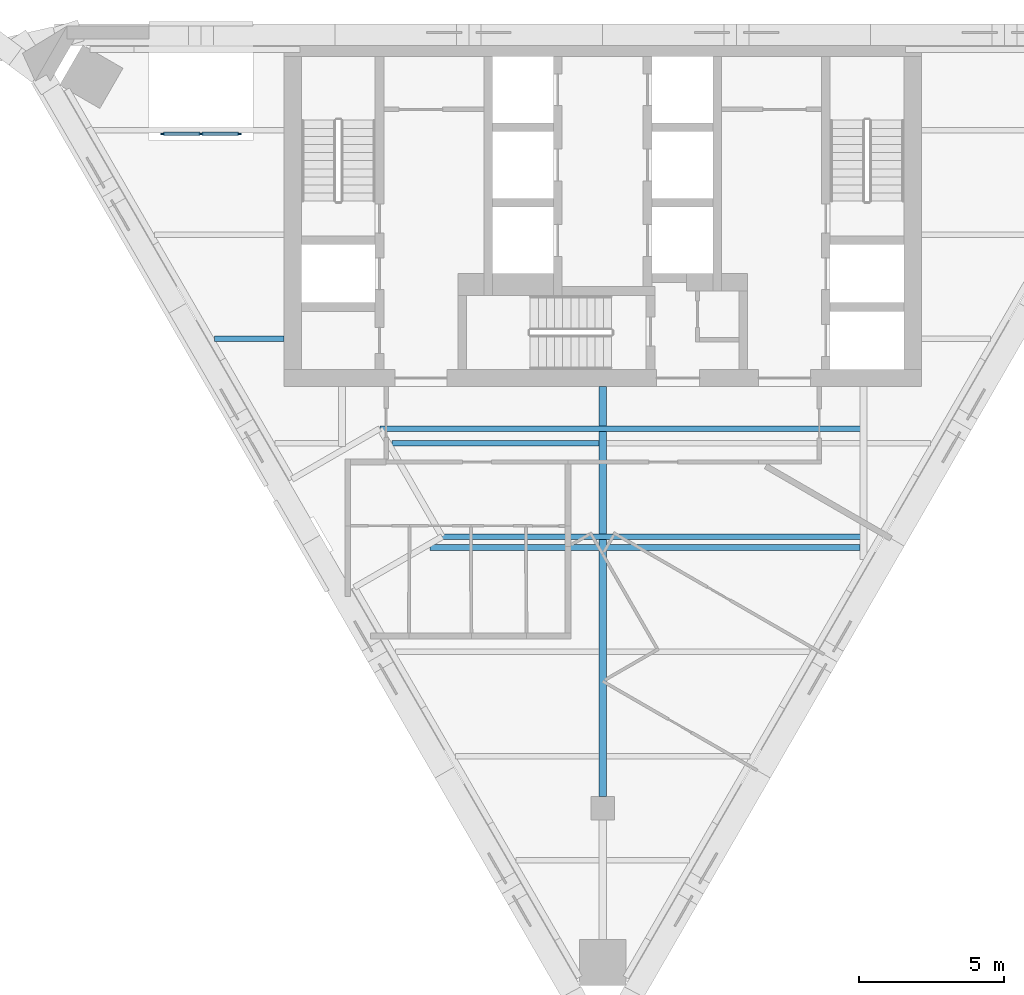
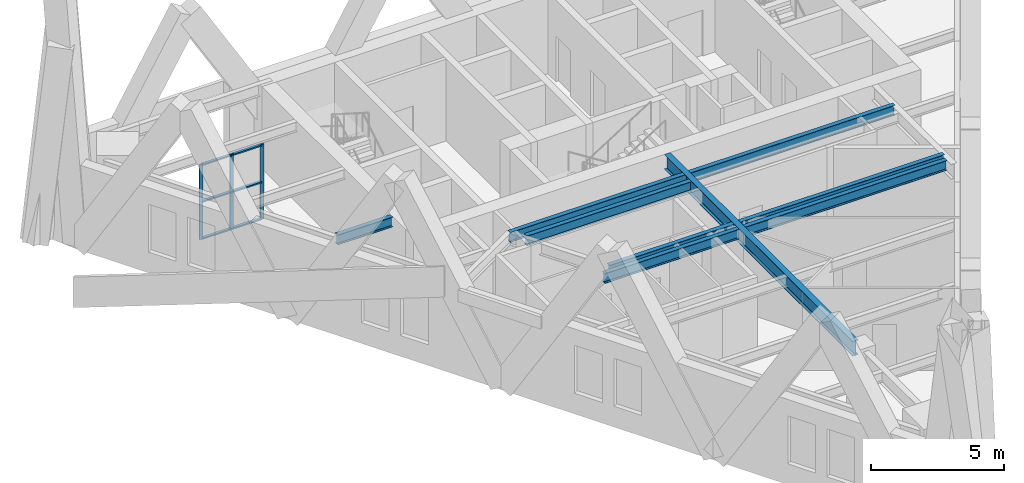
# One storey, part 2 of 9: 9 members, 7 beams, 1 element without a shape of its own.
"""IFC4 building model written with IfcOpenShell, lengths in metres."""

from ifc_helpers import new_model, si_unit, direction, frame, origin, origin_2d, place, context, subcontext, project, spatial, rectangle, i_section, extrude, material, material_profile, profile_set, type_object, element, aggregate, save


model = new_model("IFC4")

# Units and contexts
model_context = context("Model", 3, precision=1e-05, world=origin(), true_north=direction((0.0, 1.0)))
body_context = subcontext(model_context, "Body", "Model", "MODEL_VIEW")
ifc_project = project(units=[si_unit("LENGTHUNIT", "METRE"), si_unit("AREAUNIT", "SQUARE_METRE"), si_unit("VOLUMEUNIT", "CUBIC_METRE"), si_unit("PLANEANGLEUNIT", "RADIAN"), si_unit("MASSUNIT", "GRAM", prefix="KILO")], contexts=[model_context])

# Site, building, storey
site_placement = place(None, origin())
site = spatial("IfcSite", under=ifc_project, at=site_placement, CompositionType="ELEMENT")
building_placement = place(site_placement, origin())
building = spatial("IfcBuilding", under=site, at=building_placement, Name="Aloe Facet Convention Tower", CompositionType="ELEMENT")
storey_placement = place(building_placement, frame((0.0, 0.0, 254.300048828125)))
storey = spatial("IfcBuildingStorey", under=building, at=storey_placement, Name="L62", CompositionType="ELEMENT", Elevation=254.300048828125)

# Curtain wall, members
ifc_material_1 = material(Name="Aluminium, anodised", Category="aluminium")
curtain_wall_type = type_object("IfcCurtainWallType", Name="EV-CW-TERRACE", PredefinedType="USERDEFINED", material=ifc_material_1)
curtain_wall_placement = place(storey_placement, origin())
curtain_wall = element("IfcCurtainWall", 1, at=curtain_wall_placement, inside=storey, type_object=curtain_wall_type, Name="CW-T13", ObjectType="TERRACE BACK GLAZING", PredefinedType="USERDEFINED")
ifc_material_2 = material(Name="Aluminium, anodised", Category="aluminium")
ifc_material_profile_1 = material_profile(ifc_material_2, rectangle(XDim=0.06005859375, YDim=0.14990234375, at=origin_2d()), Name="AL 60x150")
ifc_profile_set_1 = profile_set([ifc_material_profile_1], Name="Aluminium, anodised")
member_type_1 = type_object("IfcMemberType", Name="EV-MULL-TERRACE", PredefinedType="MULLION", material=ifc_profile_set_1)
member_1_placement = place(storey_placement, frame((67.455322265625, 131.27490234375, -0.150146484375), z_axis=(0.0, 0.0, 1.0), x_axis=(0.0, -1.0, 0.0)))
member_1 = element("IfcMember", 2, at=member_1_placement, type_object=member_type_1, Name="CW-T13 mullion 1", PredefinedType="MULLION", context=body_context, shape_type="SweptSolid", body=[
    extrude(rectangle(XDim=0.06005859375, YDim=0.14990234375, at=origin_2d()), origin(), (0.0, 0.0, 1.0), 3.440185546875),
])
member_2_placement = place(storey_placement, frame((66.135498046875, 131.27490234375, -0.150146484375), z_axis=(0.0, 0.0, 1.0), x_axis=(0.0, -1.0, 0.0)))
member_2 = element("IfcMember", 3, at=member_2_placement, type_object=member_type_1, Name="CW-T13 mullion 2", PredefinedType="MULLION", context=body_context, shape_type="SweptSolid", body=[
    extrude(rectangle(XDim=0.06005859375, YDim=0.14990234375, at=origin_2d()), origin(), (0.0, 0.0, 1.0), 3.440185546875),
])
member_3_placement = place(storey_placement, frame((64.8154296875, 131.27490234375, -0.150146484375), z_axis=(0.0, 0.0, 1.0), x_axis=(0.0, -1.0, 0.0)))
member_3 = element("IfcMember", 4, at=member_3_placement, type_object=member_type_1, Name="CW-T13 mullion 3", PredefinedType="MULLION", context=body_context, shape_type="SweptSolid", body=[
    extrude(rectangle(XDim=0.06005859375, YDim=0.14990234375, at=origin_2d()), origin(), (0.0, 0.0, 1.0), 3.440185546875),
])
ifc_material_3 = material(Name="Aluminium, anodised", Category="aluminium")
ifc_material_profile_2 = material_profile(ifc_material_3, rectangle(XDim=0.1201171875, YDim=0.06005859375, at=origin_2d()), Name="AL 120x60")
ifc_profile_set_2 = profile_set([ifc_material_profile_2], Name="Aluminium, anodised")
member_type_2 = type_object("IfcMemberType", Name="EV-TRAN-TERRACE", PredefinedType="USERDEFINED", material=ifc_profile_set_2)
member_4_placement = place(storey_placement, frame((67.42529296875, 131.27490234375, -0.1201171875), z_axis=(-1.0, 0.0, 0.0), x_axis=(0.0, -1.0, 0.0)))
member_4 = element("IfcMember", 5, at=member_4_placement, type_object=member_type_2, Name="CW-T13 transom 1.1", ObjectType="TRANSOM", PredefinedType="USERDEFINED", context=body_context, shape_type="SweptSolid", body=[
    extrude(rectangle(XDim=0.1201171875, YDim=0.06005859375, at=origin_2d()), origin(), (0.0, 0.0, 1.0), 1.260009765625),
])
member_5_placement = place(storey_placement, frame((67.42529296875, 131.27490234375, 1.570068359375), z_axis=(-1.0, 0.0, 0.0), x_axis=(0.0, -1.0, 0.0)))
member_5 = element("IfcMember", 6, at=member_5_placement, type_object=member_type_2, Name="CW-T13 transom 1.2", ObjectType="TRANSOM", PredefinedType="USERDEFINED", context=body_context, shape_type="SweptSolid", body=[
    extrude(rectangle(XDim=0.1201171875, YDim=0.06005859375, at=origin_2d()), origin(), (0.0, 0.0, 1.0), 1.260009765625),
])
member_6_placement = place(storey_placement, frame((67.42529296875, 131.27490234375, 3.260009765625), z_axis=(-1.0, 0.0, 0.0), x_axis=(0.0, -1.0, 0.0)))
member_6 = element("IfcMember", 7, at=member_6_placement, type_object=member_type_2, Name="CW-T13 transom 1.3", ObjectType="TRANSOM", PredefinedType="USERDEFINED", context=body_context, shape_type="SweptSolid", body=[
    extrude(rectangle(XDim=0.1201171875, YDim=0.06005859375, at=origin_2d()), origin(), (0.0, 0.0, 1.0), 1.260009765625),
])
member_7_placement = place(storey_placement, frame((66.10546875, 131.27490234375, -0.1201171875), z_axis=(-1.0, 0.0, 0.0), x_axis=(0.0, -1.0, 0.0)))
member_7 = element("IfcMember", 8, at=member_7_placement, type_object=member_type_2, Name="CW-T13 transom 2.1", ObjectType="TRANSOM", PredefinedType="USERDEFINED", context=body_context, shape_type="SweptSolid", body=[
    extrude(rectangle(XDim=0.1201171875, YDim=0.06005859375, at=origin_2d()), origin(), (0.0, 0.0, 1.0), 1.260009765625),
])
member_8_placement = place(storey_placement, frame((66.10546875, 131.27490234375, 1.570068359375), z_axis=(-1.0, 0.0, 0.0), x_axis=(0.0, -1.0, 0.0)))
member_8 = element("IfcMember", 9, at=member_8_placement, type_object=member_type_2, Name="CW-T13 transom 2.2", ObjectType="TRANSOM", PredefinedType="USERDEFINED", context=body_context, shape_type="SweptSolid", body=[
    extrude(rectangle(XDim=0.1201171875, YDim=0.06005859375, at=origin_2d()), origin(), (0.0, 0.0, 1.0), 1.260009765625),
])
member_9_placement = place(storey_placement, frame((66.10546875, 131.27490234375, 3.260009765625), z_axis=(-1.0, 0.0, 0.0), x_axis=(0.0, -1.0, 0.0)))
member_9 = element("IfcMember", 10, at=member_9_placement, type_object=member_type_2, Name="CW-T13 transom 2.3", ObjectType="TRANSOM", PredefinedType="USERDEFINED", context=body_context, shape_type="SweptSolid", body=[
    extrude(rectangle(XDim=0.1201171875, YDim=0.06005859375, at=origin_2d()), origin(), (0.0, 0.0, 1.0), 1.260009765625),
])
aggregate(curtain_wall, [member_1, member_2, member_3, member_4, member_5, member_6, member_7, member_8, member_9])

# Beams
ifc_material_4 = material(Name="Steel S355", Category="steel")
ifc_material_profile_3 = material_profile(ifc_material_4, i_section(OverallWidth=0.19140625, OverallDepth=0.4599609375, WebThickness=0.010009765625, FlangeThickness=0.01611328125, FilletRadius=0.01025390625, at=origin_2d()), Name="UB 457x191x82")
ifc_profile_set_3 = profile_set([ifc_material_profile_3], Name="Steel S355")
beam_type_1 = type_object("IfcBeamType", Name="SF-B-UB457x191x82", PredefinedType="BEAM", material=ifc_profile_set_3)
beam_1_placement = place(storey_placement, frame((66.609130859375, 124.199951171875, 3.52001953125), z_axis=(1.0, 0.0, 0.0), x_axis=(0.0, 1.0, 0.0)))
element("IfcBeam", 11, at=beam_1_placement, inside=storey, type_object=beam_type_1, Name="Floor beam FB-Z5E-031", PredefinedType="BEAM", context=body_context, shape_type="SweptSolid", body=[
    extrude(i_section(OverallWidth=0.19140625, OverallDepth=0.4599609375, WebThickness=0.010009765625, FlangeThickness=0.01611328125, FilletRadius=0.01025390625, at=origin_2d()), origin(), (0.0, 0.0, 1.0), 2.390869140625),
])
beam_2_placement = place(storey_placement, frame((72.3076171875, 121.103515625, 3.52001953125), z_axis=(1.0, 0.0, 0.0), x_axis=(0.0, 1.0, 0.0)))
element("IfcBeam", 12, at=beam_2_placement, inside=storey, type_object=beam_type_1, Name="Floor beam FB-Z5E-033", PredefinedType="BEAM", context=body_context, shape_type="SweptSolid", body=[
    extrude(i_section(OverallWidth=0.19140625, OverallDepth=0.4599609375, WebThickness=0.010009765625, FlangeThickness=0.01611328125, FilletRadius=0.01025390625, at=origin_2d()), origin(), (0.0, 0.0, 1.0), 16.6923828125),
])
beam_3_placement = place(storey_placement, frame((72.72900390625, 120.60009765625, 3.52001953125), z_axis=(1.0, 0.0, 0.0), x_axis=(0.0, 1.0, 0.0)))
element("IfcBeam", 13, at=beam_3_placement, inside=storey, type_object=beam_type_1, Name="Floor beam FB-Z5E-034", PredefinedType="BEAM", context=body_context, shape_type="SweptSolid", body=[
    extrude(i_section(OverallWidth=0.19140625, OverallDepth=0.4599609375, WebThickness=0.010009765625, FlangeThickness=0.01611328125, FilletRadius=0.01025390625, at=origin_2d()), origin(), (0.0, 0.0, 1.0), 7.14453125),
])
beam_4_placement = place(storey_placement, frame((74.037841796875, 117.0, 3.52001953125), z_axis=(1.0, 0.0, 0.0), x_axis=(0.0, 1.0, 0.0)))
element("IfcBeam", 14, at=beam_4_placement, inside=storey, type_object=beam_type_1, Name="Floor beam FB-Z5E-036", PredefinedType="BEAM", context=body_context, shape_type="SweptSolid", body=[
    extrude(i_section(OverallWidth=0.19140625, OverallDepth=0.4599609375, WebThickness=0.010009765625, FlangeThickness=0.01611328125, FilletRadius=0.01025390625, at=origin_2d()), origin(), (0.0, 0.0, 1.0), 5.835693359375),
])
beam_5_placement = place(storey_placement, frame((74.462158203125, 117.37158203125, 3.52001953125), z_axis=(1.0, 0.0, 0.0), x_axis=(0.0, 1.0, 0.0)))
element("IfcBeam", 15, at=beam_5_placement, inside=storey, type_object=beam_type_1, Name="Floor beam FB-Z5E-037", PredefinedType="BEAM", context=body_context, shape_type="SweptSolid", body=[
    extrude(i_section(OverallWidth=0.19140625, OverallDepth=0.4599609375, WebThickness=0.010009765625, FlangeThickness=0.01611328125, FilletRadius=0.01025390625, at=origin_2d()), origin(), (0.0, 0.0, 1.0), 14.537841796875),
])
beam_6_placement = place(storey_placement, frame((80.12646484375, 117.0, 3.52001953125), z_axis=(1.0, 0.0, 0.0), x_axis=(0.0, 1.0, 0.0)))
element("IfcBeam", 16, at=beam_6_placement, inside=storey, type_object=beam_type_1, Name="Floor beam FB-Z5E-043", PredefinedType="BEAM", context=body_context, shape_type="SweptSolid", body=[
    extrude(i_section(OverallWidth=0.19140625, OverallDepth=0.4599609375, WebThickness=0.010009765625, FlangeThickness=0.01611328125, FilletRadius=0.01025390625, at=origin_2d()), origin(), (0.0, 0.0, 1.0), 8.7470703125),
])
ifc_material_5 = material(Name="Steel S355", Category="steel")
ifc_material_profile_4 = material_profile(ifc_material_5, i_section(OverallWidth=0.2529296875, OverallDepth=0.677978515625, WebThickness=0.01171875, FlangeThickness=0.01611328125, FilletRadius=0.01513671875, at=origin_2d()), Name="UB 686x254x125")
ifc_profile_set_4 = profile_set([ifc_material_profile_4], Name="Steel S355")
beam_type_2 = type_object("IfcBeamType", Name="SF-B-UB686x254x125", PredefinedType="BEAM", material=ifc_profile_set_4)
beam_7_placement = place(storey_placement, frame((80.0, 122.550048828125, 3.4111328125), z_axis=(0.0, -1.0, 0.0), x_axis=(1.0, 0.0, 0.0)))
element("IfcBeam", 17, at=beam_7_placement, inside=storey, type_object=beam_type_2, Name="Floor beam FB-Z5E-027", PredefinedType="BEAM", context=body_context, shape_type="SweptSolid", body=[
    extrude(i_section(OverallWidth=0.2529296875, OverallDepth=0.677978515625, WebThickness=0.01171875, FlangeThickness=0.01611328125, FilletRadius=0.01513671875, at=origin_2d()), origin(), (0.0, 0.0, 1.0), 14.150146484375),
])

save(model, "model.ifc")
